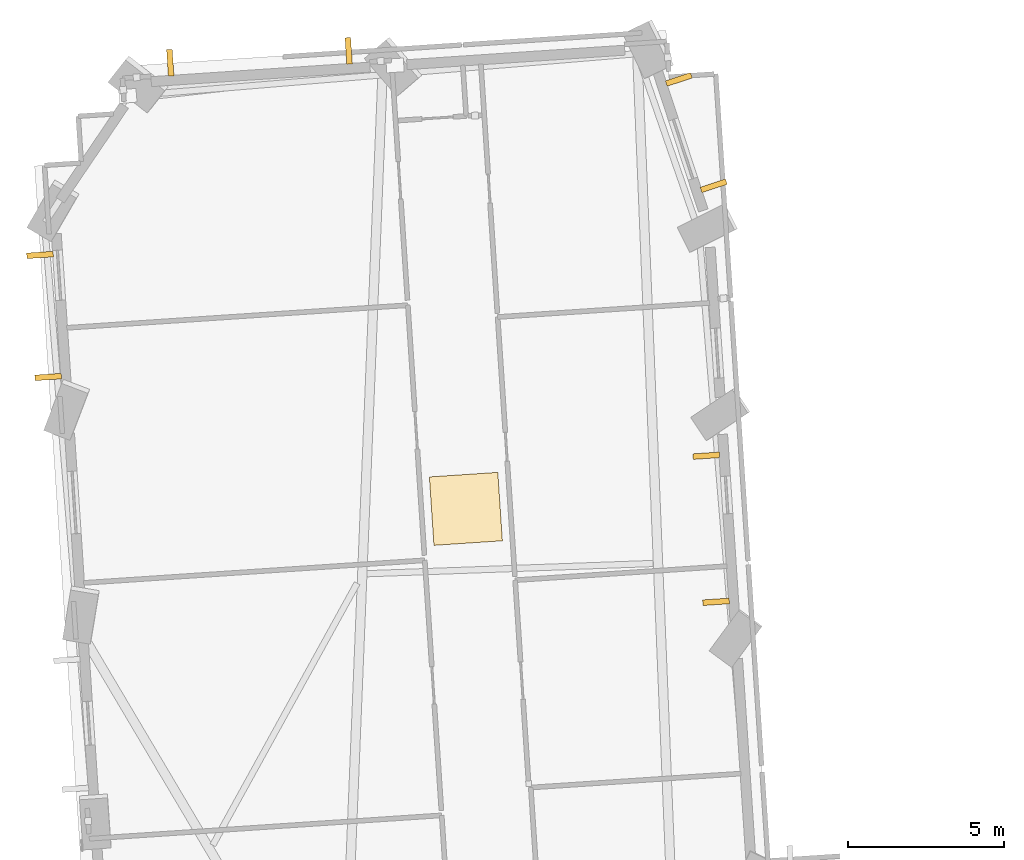
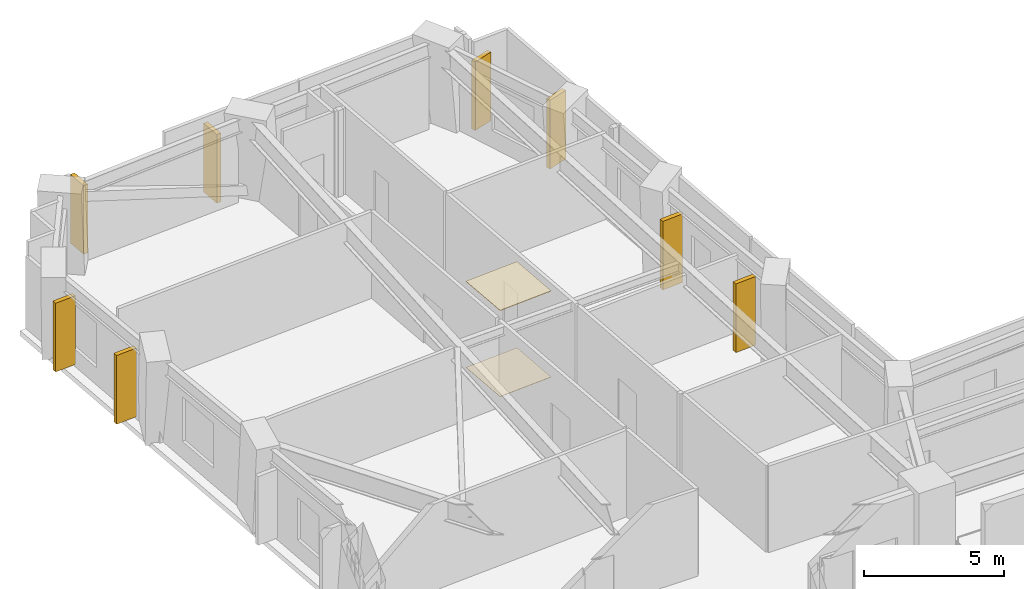
# One storey, part 14 of 14: 8 shading devices, 2 coverings.
"""IFC4 building model written with IfcOpenShell, lengths in metres."""

from ifc_helpers import new_model, si_unit, direction, frame, origin, origin_2d, place, context, subcontext, project, spatial, rectangle, extrude, material, layer, layer_set, type_object, element, save


model = new_model("IFC4")

# Units and contexts
model_context = context("Model", 3, precision=1e-05, world=origin(), true_north=direction((0.0, 1.0)))
body_context = subcontext(model_context, "Body", "Model", "MODEL_VIEW")
ifc_project = project(units=[si_unit("LENGTHUNIT", "METRE"), si_unit("AREAUNIT", "SQUARE_METRE"), si_unit("VOLUMEUNIT", "CUBIC_METRE"), si_unit("PLANEANGLEUNIT", "RADIAN"), si_unit("MASSUNIT", "GRAM", prefix="KILO")], contexts=[model_context])

# Site, building, storey
site_placement = place(None, origin())
site = spatial("IfcSite", under=ifc_project, at=site_placement, CompositionType="ELEMENT")
building_placement = place(site_placement, origin())
building = spatial("IfcBuilding", under=site, at=building_placement, Name="Gaonmaruhae Medical Tower", CompositionType="ELEMENT")
storey_placement = place(building_placement, frame((0.0, 0.0, 39.0)))
storey = spatial("IfcBuildingStorey", under=building, at=storey_placement, Name="L08", CompositionType="ELEMENT", Elevation=39.0)

# Coverings
ifc_material_1 = material(Name="Acoustic mineral ceiling tile", Category="finish")
ifc_layer_1 = layer(ifc_material_1, 0.02490234375)
ifc_layer_set_1 = layer_set([ifc_layer_1], Name="Acoustic mineral ceiling tile")
covering_type_1 = type_object("IfcCoveringType", Name="CLG-01 Antimicrobial Acoustic Mineral Ceiling", PredefinedType="CEILING", material=ifc_layer_set_1)
covering_1_placement = place(storey_placement, frame((17.9716796875, 34.89453125, 3.755126953125), z_axis=(0.0, 0.0, 1.0), x_axis=(0.997801468292, 0.0662739004, 0.0)))
element("IfcCovering", 1, at=covering_1_placement, inside=storey, type_object=covering_type_1, Name="L08 Clinical Corridor Acoustic Ceiling", PredefinedType="CEILING", context=body_context, shape_type="SweptSolid", body=[
    extrude(rectangle(XDim=2.199951171875, YDim=2.199951171875, at=origin_2d()), origin(), (0.0, 0.0, 1.0), 0.02490234375),
])
ifc_material_2 = material(Name="Seamless clinical vinyl flooring", Category="finish")
ifc_layer_2 = layer(ifc_material_2, 0.014892578125)
ifc_layer_set_2 = layer_set([ifc_layer_2], Name="Seamless clinical vinyl flooring")
covering_type_2 = type_object("IfcCoveringType", Name="FLR-01 Seamless Clinical Antistatic Vinyl Flooring", PredefinedType="FLOORING", material=ifc_layer_set_2)
covering_2_placement = place(storey_placement, frame((17.9716796875, 34.89453125, 0.00048828125), z_axis=(0.0, 0.0, 1.0), x_axis=(0.997801468292, 0.0662739004, 0.0)))
element("IfcCovering", 2, at=covering_2_placement, inside=storey, type_object=covering_type_2, Name="L08 Clinical Corridor Vinyl Flooring", PredefinedType="FLOORING", context=body_context, shape_type="SweptSolid", body=[
    extrude(rectangle(XDim=2.199951171875, YDim=2.199951171875, at=origin_2d()), origin(), (0.0, 0.0, 1.0), 0.014892578125),
])

# Shading devices
ifc_material_3 = material(Name="Pigmented coral precast concrete C45/55", Category="concrete")
shading_device_type = type_object("IfcShadingDeviceType", Name="SD-FIN1 Tower Vertical Coral Precast Shading Fin", PredefinedType="USERDEFINED", material=ifc_material_3)
for number, where, z_axis, x_axis, name in (
    (3, (25.996826171875, 31.91259765625, 0.08251953125), (0.0, 0.0, 1.0), (-0.0662739004, 0.997801468292, 0.0), "L08 Vertical Coral Precast Shading Fin NE01"),
    (4, (25.685546875, 36.598876953125, 0.08251953125), (0.0, 0.0, 1.0), (-0.0662739004, 0.997801468292, 0.0), "L08 Vertical Coral Precast Shading Fin NE01B"),
    (5, (24.8017578125, 48.66796875, 0.08251953125), (0.0, 0.0, 1.0), (0.312036460582, -0.950070127552, 0.0), "L08 Vertical Coral Precast Shading Fin NE03"),
    (6, (25.921630859375, 45.2578125, 0.08251953125), (0.0, 0.0, 1.0), (0.312036460582, -0.950070127552, 0.0), "L08 Vertical Coral Precast Shading Fin NE03B"),
    (7, (8.490478515625, 49.20458984375, 0.08251953125), (0.0, 0.0, 1.0), (0.997801468292, 0.0662739004, 0.0), "L08 Vertical Coral Precast Shading Fin N02"),
    (8, (14.212646484375, 49.584716796875, 0.08251953125), (0.0, 0.0, 1.0), (0.997801468292, 0.0662739004, 0.0), "L08 Vertical Coral Precast Shading Fin N02B"),
    (9, (4.572021484375, 39.1240234375, 0.08251953125), (0.0, 0.0, 1.0), (-0.066291315311, 0.997800311442, 0.0), "L08 Vertical Coral Precast Shading Fin W01"),
    (10, (4.311767578125, 43.03857421875, 0.08251953125), (0.0, 0.0, 1.0), (-0.066291315311, 0.997800311442, 0.0), "L08 Vertical Coral Precast Shading Fin W01B"),
):
    element("IfcShadingDevice", number, at=place(storey_placement, frame(where, z_axis=z_axis, x_axis=x_axis)), inside=storey, type_object=shading_device_type, Name=name, ObjectType="FIN", PredefinedType="USERDEFINED", context=body_context, shape_type="SweptSolid", body=[
        extrude(rectangle(XDim=0.179931640625, YDim=0.85009765625, at=origin_2d()), origin(), (0.0, 0.0, 1.0), 3.0),
    ])

save(model, "model.ifc")
